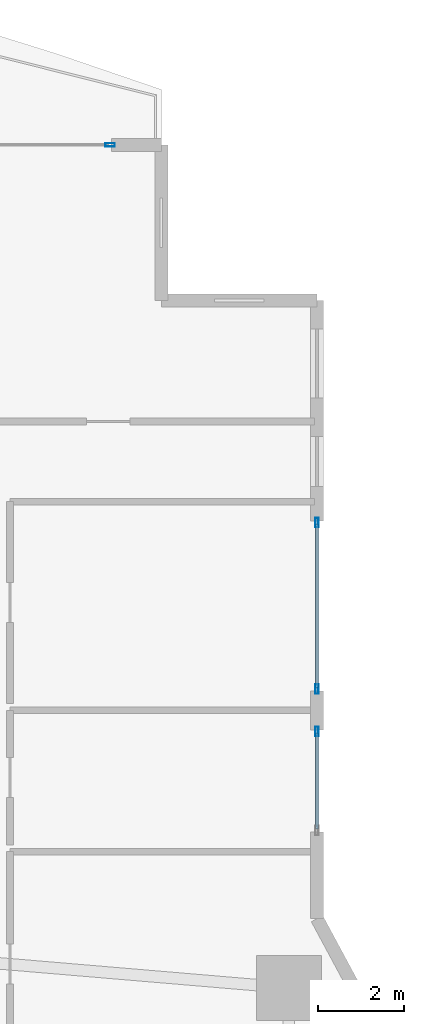
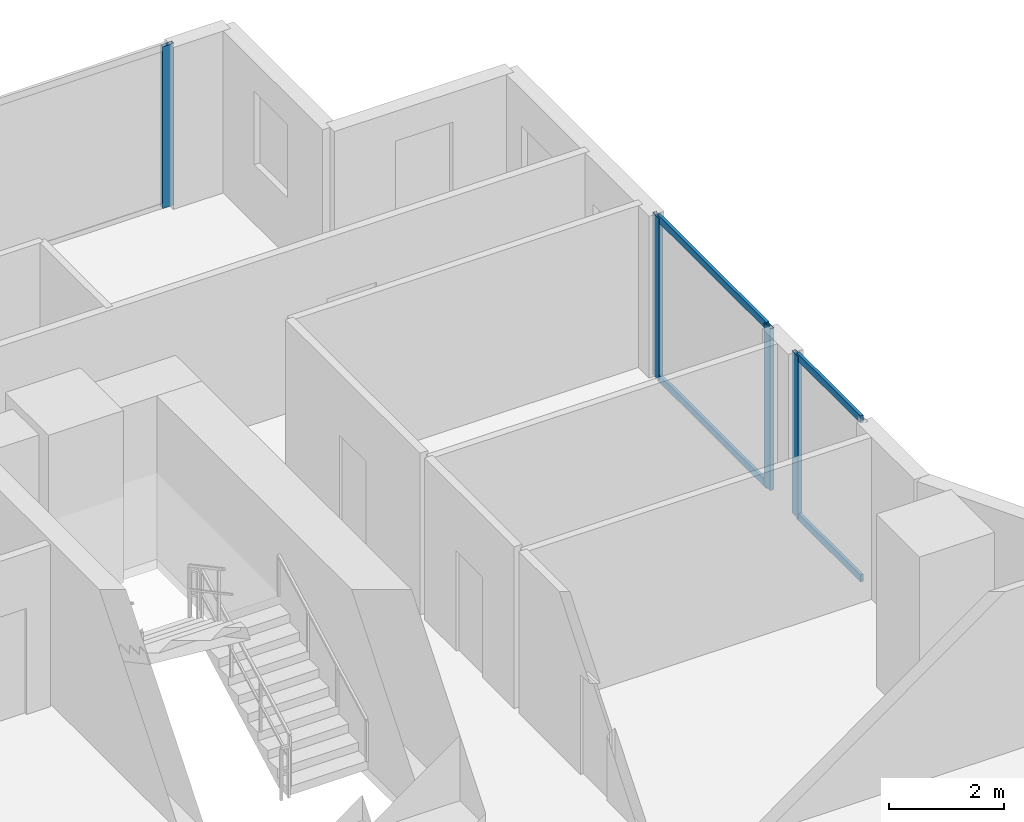
# One storey, part 17 of 29: 8 members, 3 elements without a shape of their own.
"""IFC4 building model written with IfcOpenShell, lengths in metres."""

from ifc_helpers import new_model, si_unit, direction, frame, origin, origin_2d, place, context, subcontext, project, spatial, hollow_rectangle, extrude, material, layer, layer_set, material_profile, profile_set, type_object, element, aggregate, save


model = new_model("IFC4")

# Units and contexts
model_context = context("Model", 3, precision=1e-05, world=origin(), true_north=direction((0.0, 1.0)))
body_context = subcontext(model_context, "Body", "Model", "MODEL_VIEW")
ifc_project = project(units=[si_unit("LENGTHUNIT", "METRE"), si_unit("AREAUNIT", "SQUARE_METRE"), si_unit("VOLUMEUNIT", "CUBIC_METRE"), si_unit("PLANEANGLEUNIT", "RADIAN"), si_unit("MASSUNIT", "GRAM", prefix="KILO")], contexts=[model_context])

# Site, building, storey
site_placement = place(None, origin())
site = spatial("IfcSite", under=ifc_project, at=site_placement, CompositionType="ELEMENT")
building_placement = place(site_placement, origin())
building = spatial("IfcBuilding", under=site, at=building_placement, Name="Zuhayl Quay Hotel", CompositionType="ELEMENT")
storey_placement = place(building_placement, frame((0.0, 0.0, 67.75)))
storey = spatial("IfcBuildingStorey", under=building, at=storey_placement, Name="L16", CompositionType="ELEMENT", Elevation=67.75)

# Curtain wall, member
ifc_material_1 = material(Name="Anodised Aluminium 6063-T6", Category="aluminium")
ifc_layer = layer(ifc_material_1, 0.18994140625, Name="Anodised Aluminium 6063-T6", Category="aluminium")
ifc_layer_set = layer_set([ifc_layer], Name="Anodised Aluminium 6063-T6")
curtain_wall_type = type_object("IfcCurtainWallType", Name="CW_SYS_Z1", PredefinedType="USERDEFINED", material=ifc_layer_set)
curtain_wall_1_placement = place(storey_placement, origin())
curtain_wall_1 = element("IfcCurtainWall", 1, at=curtain_wall_1_placement, inside=storey, type_object=curtain_wall_type, Name="L16 Curtain Wall ENV_L16_N_CW6", ObjectType="UNITISED CURTAIN WALL", PredefinedType="USERDEFINED")
ifc_material_2 = material(Name="Black-anodised aluminium 6063-T6", Category="aluminium")
ifc_material_profile_1 = material_profile(ifc_material_2, hollow_rectangle(XDim=0.074951171875, YDim=0.219970703125, WallThickness=0.00390625, at=origin_2d()), Name="ALU220X75")
ifc_profile_set_1 = profile_set([ifc_material_profile_1], Name="Black-anodised aluminium 6063-T6")
member_type_1 = type_object("IfcMemberType", Name="MB_CW_MUL_220", PredefinedType="MULLION", material=ifc_profile_set_1)
member_1_placement = place(storey_placement, frame((20.91259765625, 23.10009765625, 0.0), z_axis=(0.0, 0.0, 1.0), x_axis=(0.0, 1.0, 0.0)))
member_1 = element("IfcMember", 2, at=member_1_placement, type_object=member_type_1, Name="CW-Z1 mullion 2", PredefinedType="MULLION", context=body_context, shape_type="SweptSolid", body=[
    extrude(hollow_rectangle(XDim=0.074951171875, YDim=0.219970703125, WallThickness=0.00390625, at=origin_2d()), origin(), (0.0, 0.0, 1.0), 3.429931640625),
])
aggregate(curtain_wall_1, [member_1])

# Curtain wall, members
curtain_wall_2_placement = place(storey_placement, origin())
curtain_wall_2 = element("IfcCurtainWall", 3, at=curtain_wall_2_placement, inside=storey, type_object=curtain_wall_type, Name="L16 Curtain Wall ENV_L16_E11_CW1", ObjectType="UNITISED CURTAIN WALL", PredefinedType="USERDEFINED")
member_2_placement = place(storey_placement, frame((25.699951171875, 14.362548828125, 0.0), z_axis=(0.0, 0.0, 1.0), x_axis=(1.0, 0.0, 0.0)))
member_2 = element("IfcMember", 4, at=member_2_placement, type_object=member_type_1, Name="CW-Z1 mullion 1", PredefinedType="MULLION", context=body_context, shape_type="SweptSolid", body=[
    extrude(hollow_rectangle(XDim=0.074951171875, YDim=0.219970703125, WallThickness=0.00390625, at=origin_2d()), origin(), (0.0, 0.0, 1.0), 3.429931640625),
])
member_3_placement = place(storey_placement, frame((25.699951171875, 10.507568359375, 0.0), z_axis=(0.0, 0.0, 1.0), x_axis=(1.0, 0.0, 0.0)))
member_3 = element("IfcMember", 5, at=member_3_placement, type_object=member_type_1, Name="CW-Z1 mullion 2", PredefinedType="MULLION", context=body_context, shape_type="SweptSolid", body=[
    extrude(hollow_rectangle(XDim=0.074951171875, YDim=0.219970703125, WallThickness=0.00390625, at=origin_2d()), origin(), (0.0, 0.0, 1.0), 3.429931640625),
])

# Curtain wall, member
curtain_wall_3_placement = place(storey_placement, origin())
curtain_wall_3 = element("IfcCurtainWall", 6, at=curtain_wall_3_placement, inside=storey, type_object=curtain_wall_type, Name="L16 Curtain Wall ENV_L16_E11_CW2", ObjectType="UNITISED CURTAIN WALL", PredefinedType="USERDEFINED")
member_4_placement = place(storey_placement, frame((25.699951171875, 9.532470703125, 0.0), z_axis=(0.0, 0.0, 1.0), x_axis=(1.0, 0.0, 0.0)))
member_4 = element("IfcMember", 7, at=member_4_placement, type_object=member_type_1, Name="CW-Z1 mullion 1", PredefinedType="MULLION", context=body_context, shape_type="SweptSolid", body=[
    extrude(hollow_rectangle(XDim=0.074951171875, YDim=0.219970703125, WallThickness=0.00390625, at=origin_2d()), origin(), (0.0, 0.0, 1.0), 3.429931640625),
])

# Member
ifc_material_profile_2 = material_profile(ifc_material_2, hollow_rectangle(XDim=0.06005859375, YDim=0.14990234375, WallThickness=0.00341796875, at=origin_2d()), Name="ALU150X60")
ifc_profile_set_2 = profile_set([ifc_material_profile_2], Name="Black-anodised aluminium 6063-T6")
member_type_2 = type_object("IfcMemberType", Name="MB_CW_TRN_150", PredefinedType="USERDEFINED", material=ifc_profile_set_2)
member_5_placement = place(storey_placement, frame((25.699951171875, 14.324951171875, 0.030029296875), z_axis=(0.0, -1.0, 0.0), x_axis=(1.0, 0.0, 0.0)))
member_5 = element("IfcMember", 8, at=member_5_placement, type_object=member_type_2, Name="CW-Z1 transom 1.1", ObjectType="TRANSOM", PredefinedType="USERDEFINED", context=body_context, shape_type="SweptSolid", body=[
    extrude(hollow_rectangle(XDim=0.06005859375, YDim=0.14990234375, WallThickness=0.00341796875, at=origin_2d()), origin(), (0.0, 0.0, 1.0), 3.780029296875),
])

member_6_placement = place(storey_placement, frame((25.699951171875, 14.324951171875, 3.39990234375), z_axis=(0.0, -1.0, 0.0), x_axis=(1.0, 0.0, 0.0)))
member_6 = element("IfcMember", 9, at=member_6_placement, type_object=member_type_2, Name="CW-Z1 transom 1.2", ObjectType="TRANSOM", PredefinedType="USERDEFINED", context=body_context, shape_type="SweptSolid", body=[
    extrude(hollow_rectangle(XDim=0.06005859375, YDim=0.14990234375, WallThickness=0.00341796875, at=origin_2d()), origin(), (0.0, 0.0, 1.0), 3.780029296875),
])

aggregate(curtain_wall_2, [member_2, member_3, member_5, member_6])

member_7_placement = place(storey_placement, frame((25.699951171875, 9.4951171875, 0.030029296875), z_axis=(0.0, -1.0, 0.0), x_axis=(1.0, 0.0, 0.0)))
member_7 = element("IfcMember", 10, at=member_7_placement, type_object=member_type_2, Name="CW-Z1 transom 1.1", ObjectType="TRANSOM", PredefinedType="USERDEFINED", context=body_context, shape_type="SweptSolid", body=[
    extrude(hollow_rectangle(XDim=0.06005859375, YDim=0.14990234375, WallThickness=0.00341796875, at=origin_2d()), origin(), (0.0, 0.0, 1.0), 2.22021484375),
])

member_8_placement = place(storey_placement, frame((25.699951171875, 9.4951171875, 3.39990234375), z_axis=(0.0, -1.0, 0.0), x_axis=(1.0, 0.0, 0.0)))
member_8 = element("IfcMember", 11, at=member_8_placement, type_object=member_type_2, Name="CW-Z1 transom 1.2", ObjectType="TRANSOM", PredefinedType="USERDEFINED", context=body_context, shape_type="SweptSolid", body=[
    extrude(hollow_rectangle(XDim=0.06005859375, YDim=0.14990234375, WallThickness=0.00341796875, at=origin_2d()), origin(), (0.0, 0.0, 1.0), 2.22021484375),
])

aggregate(curtain_wall_3, [member_4, member_7, member_8])

save(model, "model.ifc")
